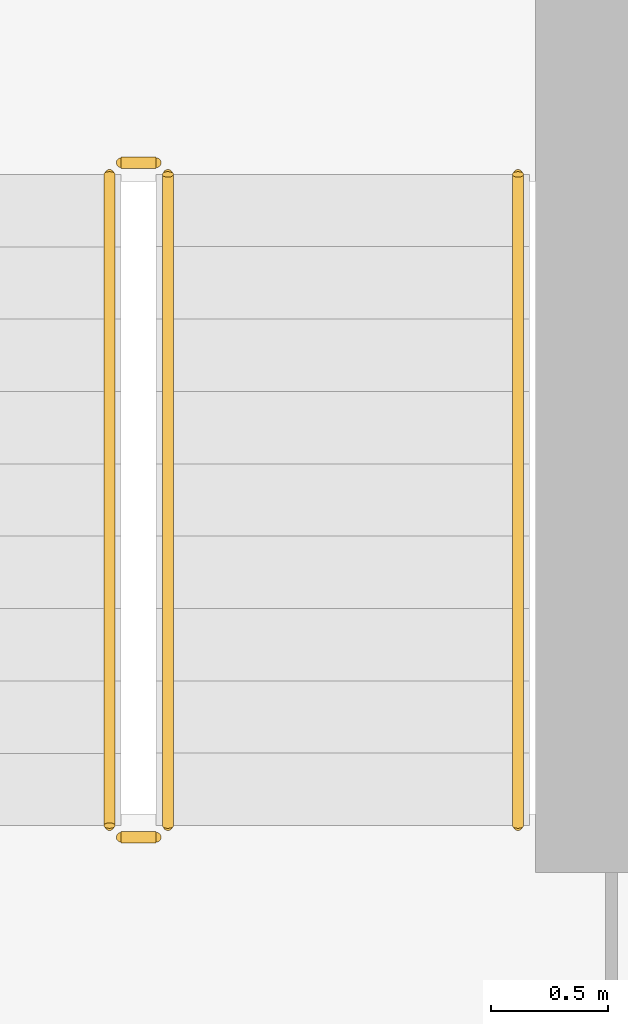
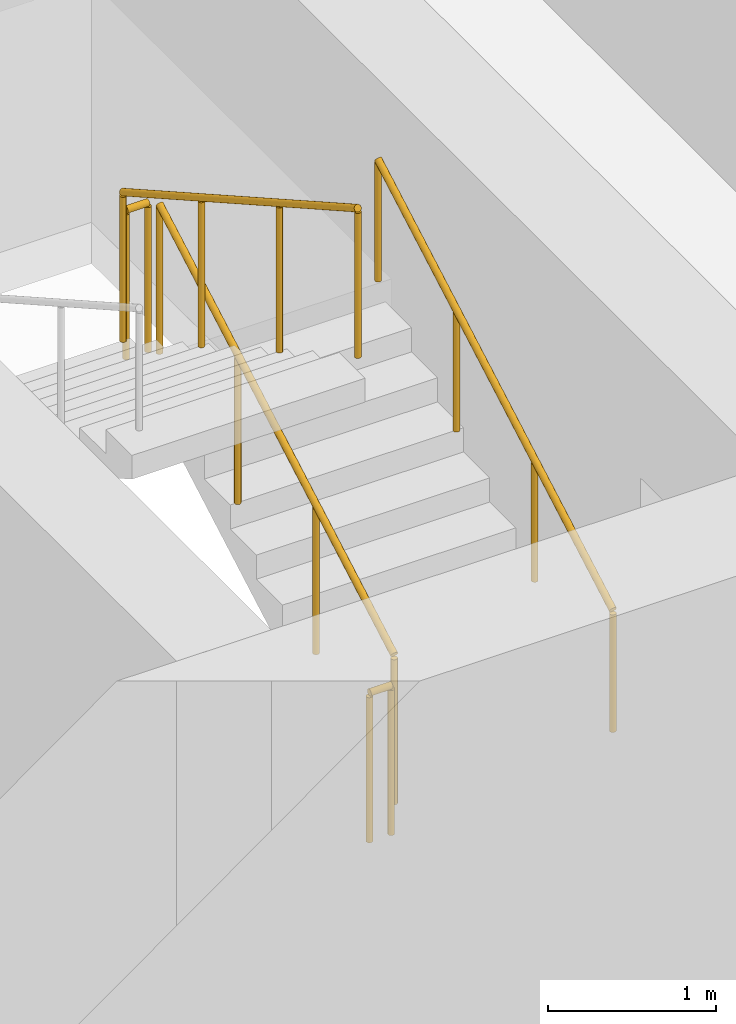
# One storey, part 19 of 21: 5 railings.
"""IFC4 building model written with IfcOpenShell, lengths in metres."""

from ifc_helpers import new_model, si_unit, direction, frame, origin, origin_2d, place, context, subcontext, project, spatial, circle, extrude, material, type_object, element, save


model = new_model("IFC4")

# Units and contexts
model_context = context("Model", 3, precision=1e-05, world=origin(), true_north=direction((0.0, 1.0)))
body_context = subcontext(model_context, "Body", "Model", "MODEL_VIEW")
ifc_project = project(units=[si_unit("LENGTHUNIT", "METRE"), si_unit("AREAUNIT", "SQUARE_METRE"), si_unit("VOLUMEUNIT", "CUBIC_METRE"), si_unit("PLANEANGLEUNIT", "RADIAN"), si_unit("MASSUNIT", "GRAM", prefix="KILO")], contexts=[model_context])

# Site, building, storey
site_placement = place(None, origin())
site = spatial("IfcSite", under=ifc_project, at=site_placement, CompositionType="ELEMENT")
building_placement = place(site_placement, origin())
building = spatial("IfcBuilding", under=site, at=building_placement, Name="Madar Terraces", CompositionType="ELEMENT")
storey_placement = place(building_placement, frame((0.0, 0.0, 80.300048828125)))
storey = spatial("IfcBuildingStorey", under=building, at=storey_placement, Name="L20", CompositionType="ELEMENT", Elevation=80.300048828125)

# Railings
ifc_material_1 = material(Name="Stainless steel railing", Category="steel")
railing_type_1 = type_object("IfcRailingType", Name="Stair guard 1100", PredefinedType="GUARDRAIL", material=ifc_material_1)
railing_1_placement = place(storey_placement, frame((41.449951171875, 17.60009765625, 0.175048828125)))
element("IfcRailing", 1, at=railing_1_placement, inside=storey, type_object=railing_type_1, Name="L20 ST3 stair guard 1", PredefinedType="GUARDRAIL", context=body_context, shape_type="SweptSolid", body=[
    extrude(circle(Radius=0.02392578125, at=origin_2d()), frame((0.0, 0.0, 1.076171875), z_axis=(0.0, 0.870815363784, 0.491610213684), x_axis=(-1.0, 0.0, 0.0)), (0.0, 0.0, 1.0), 3.20361328125),
    extrude(circle(Radius=0.02099609375, at=origin_2d()), origin(), (0.0, 0.0, 1.0), 1.052001953125),
    extrude(circle(Radius=0.02099609375, at=origin_2d()), frame((0.0, 0.929931640625, 0.52490234375)), (0.0, 0.0, 1.0), 1.052001953125),
    extrude(circle(Radius=0.02099609375, at=origin_2d()), frame((0.0, 1.85986328125, 1.050048828125)), (0.0, 0.0, 1.0), 1.052001953125),
    extrude(circle(Radius=0.02099609375, at=origin_2d()), frame((0.0, 2.789794921875, 1.574951171875)), (0.0, 0.0, 1.0), 1.052001953125),
])
railing_2_placement = place(storey_placement, frame((41.39990234375, 20.43994140625, 1.75)))
element("IfcRailing", 2, at=railing_2_placement, inside=storey, type_object=railing_type_1, Name="L20 ST3 stair guard 2", PredefinedType="GUARDRAIL", context=body_context, shape_type="SweptSolid", body=[
    extrude(circle(Radius=0.02392578125, at=origin_2d()), frame((0.0, 0.0, 1.076171875), z_axis=(-1.0, 0.0, 0.0), x_axis=(0.0, -1.0, 0.0)), (0.0, 0.0, 1.0), 0.14990234375),
    extrude(circle(Radius=0.02099609375, at=origin_2d()), origin(), (0.0, 0.0, 1.0), 1.052001953125),
    extrude(circle(Radius=0.02099609375, at=origin_2d()), frame((-0.14990234375, 0.0, 0.0)), (0.0, 0.0, 1.0), 1.052001953125),
])
railing_3_placement = place(storey_placement, frame((41.199951171875, 20.389892578125, 1.925048828125)))
element("IfcRailing", 3, at=railing_3_placement, inside=storey, type_object=railing_type_1, Name="L20 ST3 stair guard 3", PredefinedType="GUARDRAIL", context=body_context, shape_type="SweptSolid", body=[
    extrude(circle(Radius=0.02392578125, at=origin_2d()), frame((0.0, 0.0, 1.076171875), z_axis=(0.0, -0.870815363784, 0.491610213684), x_axis=(1.0, 0.0, 0.0)), (0.0, 0.0, 1.0), 3.20361328125),
    extrude(circle(Radius=0.02099609375, at=origin_2d()), origin(), (0.0, 0.0, 1.0), 1.052001953125),
    extrude(circle(Radius=0.02099609375, at=origin_2d()), frame((0.0, -0.929931640625, 0.52490234375)), (0.0, 0.0, 1.0), 1.052001953125),
    extrude(circle(Radius=0.02099609375, at=origin_2d()), frame((0.0, -1.85986328125, 1.050048828125)), (0.0, 0.0, 1.0), 1.052001953125),
    extrude(circle(Radius=0.02099609375, at=origin_2d()), frame((0.0, -2.789794921875, 1.574951171875)), (0.0, 0.0, 1.0), 1.052001953125),
])
railing_4_placement = place(storey_placement, frame((41.39990234375, 17.550048828125, 0.0)))
element("IfcRailing", 4, at=railing_4_placement, inside=storey, type_object=railing_type_1, Name="L20 ST3 stair guard 4", PredefinedType="GUARDRAIL", context=body_context, shape_type="SweptSolid", body=[
    extrude(circle(Radius=0.02392578125, at=origin_2d()), frame((0.0, 0.0, 1.076171875), z_axis=(-1.0, 0.0, 0.0), x_axis=(0.0, -1.0, 0.0)), (0.0, 0.0, 1.0), 0.14990234375),
    extrude(circle(Radius=0.02099609375, at=origin_2d()), origin(), (0.0, 0.0, 1.0), 1.052001953125),
    extrude(circle(Radius=0.02099609375, at=origin_2d()), frame((-0.14990234375, 0.0, 0.0)), (0.0, 0.0, 1.0), 1.052001953125),
])
ifc_material_2 = material(Name="Stainless steel railing", Category="steel")
railing_type_2 = type_object("IfcRailingType", Name="Stair handrail 900", PredefinedType="HANDRAIL", material=ifc_material_2)
railing_5_placement = place(storey_placement, frame((42.949951171875, 17.60009765625, 0.175048828125)))
element("IfcRailing", 5, at=railing_5_placement, inside=storey, type_object=railing_type_2, Name="L20 ST3 stair handrail 1", PredefinedType="HANDRAIL", context=body_context, shape_type="SweptSolid", body=[
    extrude(circle(Radius=0.02392578125, at=origin_2d()), frame((0.0, 0.0, 0.8759765625), z_axis=(0.0, 0.870815363784, 0.491610213684), x_axis=(-1.0, 0.0, 0.0)), (0.0, 0.0, 1.0), 3.20361328125),
    extrude(circle(Radius=0.02099609375, at=origin_2d()), origin(), (0.0, 0.0, 1.0), 0.851806640625),
    extrude(circle(Radius=0.02099609375, at=origin_2d()), frame((0.0, 0.929931640625, 0.52490234375)), (0.0, 0.0, 1.0), 0.851806640625),
    extrude(circle(Radius=0.02099609375, at=origin_2d()), frame((0.0, 1.85986328125, 1.050048828125)), (0.0, 0.0, 1.0), 0.851806640625),
    extrude(circle(Radius=0.02099609375, at=origin_2d()), frame((0.0, 2.789794921875, 1.574951171875)), (0.0, 0.0, 1.0), 0.851806640625),
])

save(model, "model.ifc")
